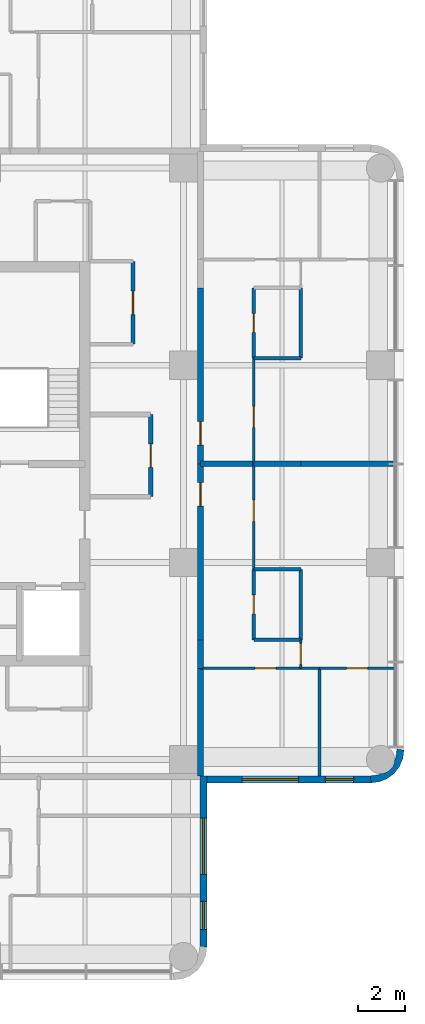
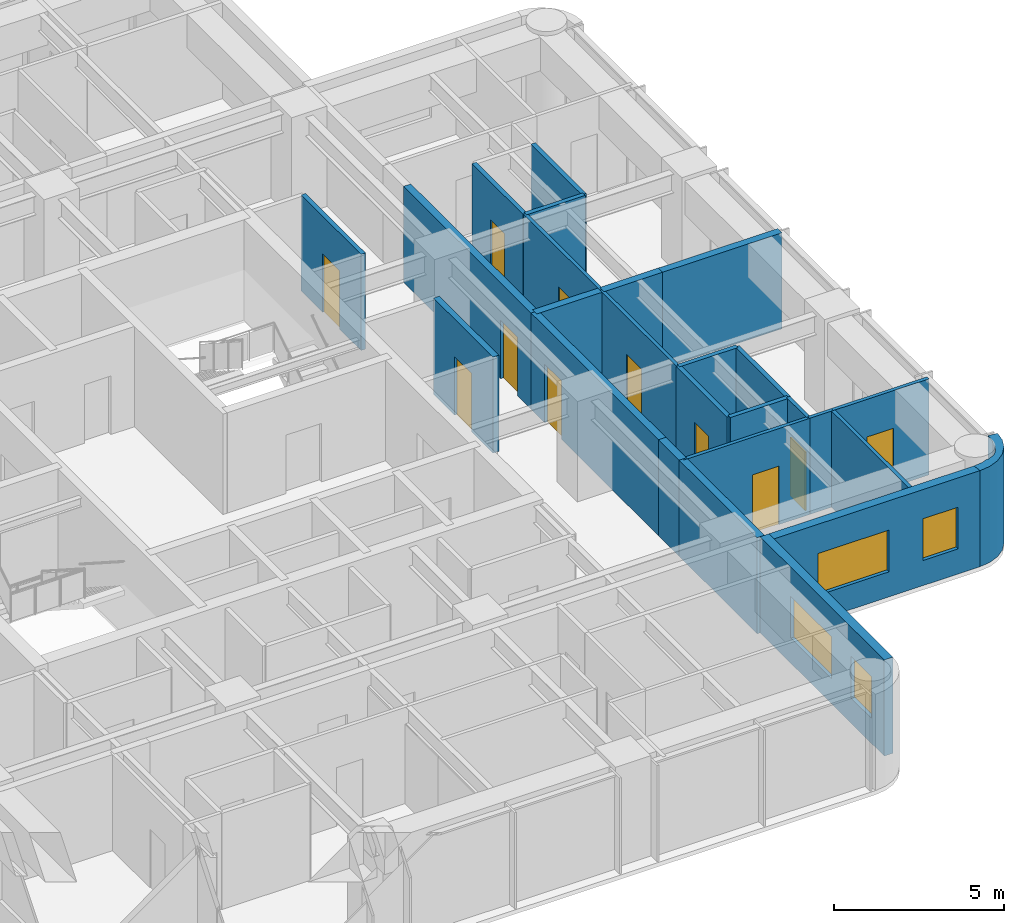
# One storey, part 7 of 10: 26 walls, 11 doors, 4 windows, 15 openings.
"""IFC4 building model written with IfcOpenShell, lengths in metres."""

from ifc_helpers import new_model, si_unit, direction, frame, frame_2d, origin, place, context, subcontext, project, spatial, polyline, rectangle, outline, extrude, material, layer, layer_set, type_object, element, fill, save


model = new_model("IFC4")

# Units and contexts
model_context = context("Model", 3, precision=1e-05, world=origin(), true_north=direction((0.0, 1.0)))
body_context = subcontext(model_context, "Body", "Model", "MODEL_VIEW")
ifc_project = project(units=[si_unit("LENGTHUNIT", "METRE"), si_unit("AREAUNIT", "SQUARE_METRE"), si_unit("VOLUMEUNIT", "CUBIC_METRE"), si_unit("PLANEANGLEUNIT", "RADIAN"), si_unit("MASSUNIT", "GRAM", prefix="KILO")], contexts=[model_context])

# Site, building, storey
site_placement = place(None, origin())
site = spatial("IfcSite", under=ifc_project, at=site_placement, CompositionType="ELEMENT")
building_placement = place(site_placement, origin())
building = spatial("IfcBuilding", under=site, at=building_placement, Name="Torre Alcanfor", CompositionType="ELEMENT")
storey_placement = place(building_placement, frame((0.0, 0.0, 290.10009765625)))
storey = spatial("IfcBuildingStorey", under=building, at=storey_placement, Name="L76", CompositionType="ELEMENT", Elevation=290.10009765625)

# Wall, opening, door
ifc_material_1 = material(Name="Concrete block masonry, hollow blocks NMX-C-404 9 MPa", Category="masonry")
ifc_layer_1 = layer(ifc_material_1, 0.25)
ifc_layer_set_1 = layer_set([ifc_layer_1], Name="Apartment entrance wall 250 EI 60")
wall_type_1 = type_object("IfcWallType", Name="Apartment entrance wall 250 EI 60", PredefinedType="PARTITIONING", material=ifc_layer_set_1)
wall_1_placement = place(storey_placement, frame((42.72509765625, 36.89990234375, 0.0), z_axis=(0.0, 0.0, 1.0), x_axis=(0.0, -1.0, 0.0)))
wall_1 = element("IfcWall", 1, at=wall_1_placement, inside=storey, type_object=wall_type_1, Name="Partition L76-CORR / L76-E1-ZAG", PredefinedType="PARTITIONING", context=body_context, shape_type="SweptSolid", body=[
    extrude(rectangle(XDim=7.5, YDim=0.25, at=frame_2d((3.75, 0.0))), origin(), (0.0, 0.0, 1.0), 3.449951171875),
])
opening_1_placement = place(wall_1_placement, frame((5.699951171875, 0.0, 0.0)))
opening_1 = element("IfcOpeningElement", 2, at=opening_1_placement, cuts=wall_1, Name="Opening D-A1", PredefinedType="OPENING", context=body_context, shape_type="SweptSolid", body=[
    extrude(rectangle(XDim=1.0, YDim=2.10009765625, at=frame_2d((0.5, 1.050048828125))), frame((0.0, 0.135009765625, 0.0), z_axis=(0.0, -1.0, 0.0), x_axis=(1.0, 0.0, 0.0)), (0.0, 0.0, 1.0), 0.27001953125),
])
ifc_material_2 = material(Name="Galvanised steel sheet ASTM A653", Category="steel")
door_type_1 = type_object("IfcDoorType", Name="Apartment entrance door FD60 1000x2100", OperationType="SINGLE_SWING_LEFT", PredefinedType="DOOR", material=ifc_material_2)
door_1_placement = place(opening_1_placement, origin())
door_1 = element("IfcDoor", 3, at=door_1_placement, inside=storey, type_object=door_type_1, Name="Apartment entrance L76-E1", OperationType="SINGLE_SWING_RIGHT", OverallHeight=2.10009765625, OverallWidth=1.0, PredefinedType="DOOR", context=body_context, shape_type="SweptSolid", body=[
    extrude(rectangle(XDim=1.0, YDim=2.10009765625, at=frame_2d((0.5, 1.050048828125))), frame((0.0, 0.02490234375, 0.0), z_axis=(0.0, -1.0, 0.0), x_axis=(1.0, 0.0, 0.0)), (0.0, 0.0, 1.0), 0.050048828125),
])
fill(opening_1, door_1)

wall_2_placement = place(storey_placement, frame((42.72509765625, 29.39990234375, 0.0), z_axis=(0.0, 0.0, 1.0), x_axis=(0.0, -1.0, 0.0)))
wall_2 = element("IfcWall", 4, at=wall_2_placement, inside=storey, type_object=wall_type_1, Name="Partition L76-CORR / L76-E2-ZAG", PredefinedType="PARTITIONING", context=body_context, shape_type="SweptSolid", body=[
    extrude(rectangle(XDim=7.5, YDim=0.25, at=frame_2d((3.75, 0.0))), origin(), (0.0, 0.0, 1.0), 3.449951171875),
])
opening_2_placement = place(wall_2_placement, frame((0.800048828125, 0.0, 0.0)))
opening_2 = element("IfcOpeningElement", 5, at=opening_2_placement, cuts=wall_2, Name="Opening D-A1", PredefinedType="OPENING", context=body_context, shape_type="SweptSolid", body=[
    extrude(rectangle(XDim=1.0, YDim=2.10009765625, at=frame_2d((0.5, 1.050048828125))), frame((0.0, 0.135009765625, 0.0), z_axis=(0.0, -1.0, 0.0), x_axis=(1.0, 0.0, 0.0)), (0.0, 0.0, 1.0), 0.27001953125),
])
door_2_placement = place(opening_2_placement, origin())
door_2 = element("IfcDoor", 6, at=door_2_placement, inside=storey, type_object=door_type_1, Name="Apartment entrance L76-E2", OperationType="SINGLE_SWING_LEFT", OverallHeight=2.10009765625, OverallWidth=1.0, PredefinedType="DOOR", context=body_context, shape_type="SweptSolid", body=[
    extrude(rectangle(XDim=1.0, YDim=2.10009765625, at=frame_2d((0.5, 1.050048828125))), frame((0.0, 0.02490234375, 0.0), z_axis=(0.0, -1.0, 0.0), x_axis=(1.0, 0.0, 0.0)), (0.0, 0.0, 1.0), 0.050048828125),
])
fill(opening_2, door_2)

# Walls
wall_3_placement = place(storey_placement, frame((42.72509765625, 21.89990234375, 0.0), z_axis=(0.0, 0.0, 1.0), x_axis=(0.0, -1.0, 0.0)))
element("IfcWall", 7, at=wall_3_placement, inside=storey, type_object=wall_type_1, Name="Partition L76-CORR / L76-E2-HALL", PredefinedType="PARTITIONING", context=body_context, shape_type="SweptSolid", body=[
    extrude(rectangle(XDim=1.2138671875, YDim=0.25, at=frame_2d((0.60693359375, 0.0))), origin(), (0.0, 0.0, 1.0), 3.449951171875),
])
wall_4_placement = place(storey_placement, frame((42.72509765625, 20.68603515625, 0.0), z_axis=(0.0, 0.0, 1.0), x_axis=(0.0, -1.0, 0.0)))
element("IfcWall", 8, at=wall_4_placement, inside=storey, type_object=wall_type_1, Name="Partition L76-CORR / L76-E2-MASTER", PredefinedType="PARTITIONING", context=body_context, shape_type="SweptSolid", body=[
    extrude(rectangle(XDim=4.5859375, YDim=0.25, at=frame_2d((2.29296875, 0.0))), origin(), (0.0, 0.0, 1.0), 3.449951171875),
])

# Wall, opening, door
ifc_material_3 = material(Name="Gypsum board on steel studs", Category="steel")
ifc_layer_2 = layer(ifc_material_3, 0.1201171875)
ifc_layer_set_2 = layer_set([ifc_layer_2], Name="Apartment partition 120")
wall_type_2 = type_object("IfcWallType", Name="Apartment partition 120", PredefinedType="PARTITIONING", material=ifc_layer_set_2)
wall_5_placement = place(storey_placement, frame((45.0, 29.39990234375, 0.0), z_axis=(0.0, 0.0, 1.0), x_axis=(0.0, 1.0, 0.0)))
wall_5 = element("IfcWall", 9, at=wall_5_placement, inside=storey, type_object=wall_type_2, Name="Partition L76-E1-ZAG / L76-E1-KITCHEN", PredefinedType="PARTITIONING", context=body_context, shape_type="SweptSolid", body=[
    extrude(rectangle(XDim=4.5, YDim=0.1201171875, at=frame_2d((2.25, 0.0))), origin(), (0.0, 0.0, 1.0), 3.449951171875),
])
opening_3_placement = place(wall_5_placement, frame((1.550048828125, 0.0, 0.0)))
opening_3 = element("IfcOpeningElement", 10, at=opening_3_placement, cuts=wall_5, Name="Opening D-R1", PredefinedType="OPENING", context=body_context, shape_type="SweptSolid", body=[
    extrude(rectangle(XDim=0.89990234375, YDim=2.10009765625, at=frame_2d((0.449951171875, 1.050048828125))), frame((0.0, 0.070068359375, 0.0), z_axis=(0.0, -1.0, 0.0), x_axis=(1.0, 0.0, 0.0)), (0.0, 0.0, 1.0), 0.14013671875),
])
ifc_material_4 = material(Name="Timber", Category="wood")
door_type_2 = type_object("IfcDoorType", Name="Internal door 900x2100", OperationType="SINGLE_SWING_LEFT", PredefinedType="DOOR", material=ifc_material_4)
door_3_placement = place(opening_3_placement, frame((0.89990234375, 0.0, 0.0), z_axis=(0.0, 0.0, 1.0), x_axis=(-1.0, 0.0, 0.0)))
door_3 = element("IfcDoor", 11, at=door_3_placement, inside=storey, type_object=door_type_2, Name="Door L76-E1 kitchen", OperationType="SINGLE_SWING_RIGHT", OverallHeight=2.10009765625, OverallWidth=0.89990234375, PredefinedType="DOOR", context=body_context, shape_type="SweptSolid", body=[
    extrude(rectangle(XDim=0.89990234375, YDim=2.10009765625, at=frame_2d((0.449951171875, 1.050048828125))), frame((0.0, 0.025146484375, 0.0), z_axis=(0.0, -1.0, 0.0), x_axis=(1.0, 0.0, 0.0)), (0.0, 0.0, 1.0), 0.050048828125),
])
fill(opening_3, door_3)

wall_6_placement = place(storey_placement, frame((45.0, 29.39990234375, 0.0), z_axis=(0.0, 0.0, 1.0), x_axis=(0.0, -1.0, 0.0)))
wall_6 = element("IfcWall", 12, at=wall_6_placement, inside=storey, type_object=wall_type_2, Name="Partition L76-E2-ZAG / L76-E2-KITCHEN", PredefinedType="PARTITIONING", context=body_context, shape_type="SweptSolid", body=[
    extrude(rectangle(XDim=4.5, YDim=0.1201171875, at=frame_2d((2.25, 0.0))), origin(), (0.0, 0.0, 1.0), 3.449951171875),
])
opening_4_placement = place(wall_6_placement, frame((1.550048828125, 0.0, 0.0)))
opening_4 = element("IfcOpeningElement", 13, at=opening_4_placement, cuts=wall_6, Name="Opening D-R1", PredefinedType="OPENING", context=body_context, shape_type="SweptSolid", body=[
    extrude(rectangle(XDim=0.89990234375, YDim=2.10009765625, at=frame_2d((0.449951171875, 1.050048828125))), frame((0.0, 0.070068359375, 0.0), z_axis=(0.0, -1.0, 0.0), x_axis=(1.0, 0.0, 0.0)), (0.0, 0.0, 1.0), 0.14013671875),
])
door_4_placement = place(opening_4_placement, origin())
door_4 = element("IfcDoor", 14, at=door_4_placement, inside=storey, type_object=door_type_2, Name="Door L76-E2 kitchen", OperationType="SINGLE_SWING_LEFT", OverallHeight=2.10009765625, OverallWidth=0.89990234375, PredefinedType="DOOR", context=body_context, shape_type="SweptSolid", body=[
    extrude(rectangle(XDim=0.89990234375, YDim=2.10009765625, at=frame_2d((0.449951171875, 1.050048828125))), frame((0.0, 0.02490234375, 0.0), z_axis=(0.0, -1.0, 0.0), x_axis=(1.0, 0.0, 0.0)), (0.0, 0.0, 1.0), 0.050048828125),
])
fill(opening_4, door_4)

wall_7_placement = place(storey_placement, frame((47.0, 21.89990234375, 0.0), z_axis=(0.0, 0.0, 1.0), x_axis=(0.0, -1.0, 0.0)))
wall_7 = element("IfcWall", 15, at=wall_7_placement, inside=storey, type_object=wall_type_2, Name="Partition L76-E2-HALL / L76-E2-LIVING", PredefinedType="PARTITIONING", context=body_context, shape_type="SweptSolid", body=[
    extrude(rectangle(XDim=1.2138671875, YDim=0.1201171875, at=frame_2d((0.60693359375, 0.0))), origin(), (0.0, 0.0, 1.0), 3.449951171875),
])
opening_5_placement = place(wall_7_placement, frame((0.14990234375, 0.0, 0.0)))
opening_5 = element("IfcOpeningElement", 16, at=opening_5_placement, cuts=wall_7, Name="Opening D-R1", PredefinedType="OPENING", context=body_context, shape_type="SweptSolid", body=[
    extrude(rectangle(XDim=0.89990234375, YDim=2.10009765625, at=frame_2d((0.449951171875, 1.050048828125))), frame((0.0, 0.070068359375, 0.0), z_axis=(0.0, -1.0, 0.0), x_axis=(1.0, 0.0, 0.0)), (0.0, 0.0, 1.0), 0.14013671875),
])
door_5_placement = place(opening_5_placement, origin())
door_5 = element("IfcDoor", 17, at=door_5_placement, inside=storey, type_object=door_type_2, Name="Door L76-E2 living", OperationType="SINGLE_SWING_RIGHT", OverallHeight=2.10009765625, OverallWidth=0.89990234375, PredefinedType="DOOR", context=body_context, shape_type="SweptSolid", body=[
    extrude(rectangle(XDim=0.89990234375, YDim=2.10009765625, at=frame_2d((0.449951171875, 1.050048828125))), frame((0.0, 0.02490234375, 0.0), z_axis=(0.0, -1.0, 0.0), x_axis=(1.0, 0.0, 0.0)), (0.0, 0.0, 1.0), 0.050048828125),
])
fill(opening_5, door_5)

wall_8_placement = place(storey_placement, frame((47.0, 20.68603515625, 0.0), z_axis=(0.0, 0.0, 1.0), x_axis=(-1.0, 0.0, 0.0)))
wall_8 = element("IfcWall", 18, at=wall_8_placement, inside=storey, type_object=wall_type_2, Name="Partition L76-E2-HALL / L76-E2-MASTER", PredefinedType="PARTITIONING", context=body_context, shape_type="SweptSolid", body=[
    extrude(rectangle(XDim=4.27490234375, YDim=0.1201171875, at=frame_2d((2.137451171875, 0.0))), origin(), (0.0, 0.0, 1.0), 3.449951171875),
])
opening_6_placement = place(wall_8_placement, frame((1.050048828125, 0.0, 0.0)))
opening_6 = element("IfcOpeningElement", 19, at=opening_6_placement, cuts=wall_8, Name="Opening D-R1", PredefinedType="OPENING", context=body_context, shape_type="SweptSolid", body=[
    extrude(rectangle(XDim=0.89990234375, YDim=2.10009765625, at=frame_2d((0.449951171875, 1.050048828125))), frame((0.0, 0.070068359375, 0.0), z_axis=(0.0, -1.0, 0.0), x_axis=(1.0, 0.0, 0.0)), (0.0, 0.0, 1.0), 0.14013671875),
])
door_6_placement = place(opening_6_placement, origin())
door_6 = element("IfcDoor", 20, at=door_6_placement, inside=storey, type_object=door_type_2, Name="Door L76-E2 master", OperationType="SINGLE_SWING_LEFT", OverallHeight=2.10009765625, OverallWidth=0.89990234375, PredefinedType="DOOR", context=body_context, shape_type="SweptSolid", body=[
    extrude(rectangle(XDim=0.89990234375, YDim=2.10009765625, at=frame_2d((0.449951171875, 1.050048828125))), frame((0.0, 0.02490234375, 0.0), z_axis=(0.0, -1.0, 0.0), x_axis=(1.0, 0.0, 0.0)), (0.0, 0.0, 1.0), 0.050048828125),
])
fill(opening_6, door_6)

# Wall
wall_9_placement = place(storey_placement, frame((47.800048828125, 20.68603515625, 0.0), z_axis=(0.0, 0.0, 1.0), x_axis=(-1.0, 0.0, 0.0)))
element("IfcWall", 21, at=wall_9_placement, inside=storey, type_object=wall_type_2, Name="Partition L76-E2-LIVING / L76-E2-MASTER", PredefinedType="PARTITIONING", context=body_context, shape_type="SweptSolid", body=[
    extrude(rectangle(XDim=0.800048828125, YDim=0.1201171875, at=frame_2d((0.39990234375, 0.0))), origin(), (0.0, 0.0, 1.0), 3.449951171875),
])

# Wall, opening, door
wall_10_placement = place(storey_placement, frame((51.050048828125, 20.68603515625, 0.0), z_axis=(0.0, 0.0, 1.0), x_axis=(-1.0, 0.0, 0.0)))
wall_10 = element("IfcWall", 22, at=wall_10_placement, inside=storey, type_object=wall_type_2, Name="Partition L76-E2-LIVING / L76-E2-BED2", PredefinedType="PARTITIONING", context=body_context, shape_type="SweptSolid", body=[
    extrude(rectangle(XDim=3.25, YDim=0.1201171875, at=frame_2d((1.625, 0.0))), origin(), (0.0, 0.0, 1.0), 3.449951171875),
])
opening_7_placement = place(wall_10_placement, frame((1.199951171875, 0.0, 0.0)))
opening_7 = element("IfcOpeningElement", 23, at=opening_7_placement, cuts=wall_10, Name="Opening D-R1", PredefinedType="OPENING", context=body_context, shape_type="SweptSolid", body=[
    extrude(rectangle(XDim=0.89990234375, YDim=2.10009765625, at=frame_2d((0.449951171875, 1.050048828125))), frame((0.0, 0.070068359375, 0.0), z_axis=(0.0, -1.0, 0.0), x_axis=(1.0, 0.0, 0.0)), (0.0, 0.0, 1.0), 0.14013671875),
])
door_7_placement = place(opening_7_placement, origin())
door_7 = element("IfcDoor", 24, at=door_7_placement, inside=storey, type_object=door_type_2, Name="Door L76-E2 bed2", OperationType="SINGLE_SWING_RIGHT", OverallHeight=2.10009765625, OverallWidth=0.89990234375, PredefinedType="DOOR", context=body_context, shape_type="SweptSolid", body=[
    extrude(rectangle(XDim=0.89990234375, YDim=2.10009765625, at=frame_2d((0.449951171875, 1.050048828125))), frame((0.0, 0.02490234375, 0.0), z_axis=(0.0, -1.0, 0.0), x_axis=(1.0, 0.0, 0.0)), (0.0, 0.0, 1.0), 0.050048828125),
])
fill(opening_7, door_7)

# Wall
wall_11_placement = place(storey_placement, frame((47.800048828125, 20.68603515625, 0.0), z_axis=(0.0, 0.0, 1.0), x_axis=(0.0, -1.0, 0.0)))
element("IfcWall", 25, at=wall_11_placement, inside=storey, type_object=wall_type_2, Name="Partition L76-E2-MASTER / L76-E2-BED2", PredefinedType="PARTITIONING", context=body_context, shape_type="SweptSolid", body=[
    extrude(rectangle(XDim=4.5859375, YDim=0.1201171875, at=frame_2d((2.29296875, 0.0))), origin(), (0.0, 0.0, 1.0), 3.449951171875),
])

# Wall, openings, windows
ifc_material_5 = material(Name="Limestone cladding", Category="masonry")
ifc_layer_3 = layer(ifc_material_5, 0.0400390625, Name="Facing")
ifc_material_6 = material(Name="Ventilated air cavity")
ifc_layer_4 = layer(ifc_material_6, 0.02001953125, ventilated=True, Name="Ventilated joint")
ifc_material_7 = material(Name="Mineral wool insulation", Category="insulation")
ifc_layer_5 = layer(ifc_material_7, 0.10009765625, Name="Insulation")
ifc_material_8 = material(Name="Concrete f'c 35 MPa", Category="concrete")
ifc_layer_6 = layer(ifc_material_8, 0.139892578125, Name="Backing")
ifc_layer_set_3 = layer_set([ifc_layer_3, ifc_layer_4, ifc_layer_5, ifc_layer_6], Name="External wall stone-clad 300")
wall_type_3 = type_object("IfcWallType", Name="External wall stone-clad 300", PredefinedType="SOLIDWALL", material=ifc_layer_set_3)
wall_12_placement = place(storey_placement, frame((42.85009765625, 8.800048828125, 0.0), z_axis=(0.0, 0.0, 1.0), x_axis=(0.0, 1.0, 0.0)))
wall_12 = element("IfcWall", 26, at=wall_12_placement, inside=storey, type_object=wall_type_3, Name="External wall L76 6", PredefinedType="SOLIDWALL", context=body_context, shape_type="SweptSolid", body=[
    extrude(rectangle(XDim=7.300048828125, YDim=0.300048828125, at=frame_2d((3.64990234375, 0.0))), origin(), (0.0, 0.0, 1.0), 3.449951171875),
])
opening_8_placement = place(wall_12_placement, frame((3.10009765625, 0.0, 0.89990234375)))
opening_8 = element("IfcOpeningElement", 27, at=opening_8_placement, cuts=wall_12, Name="Opening W1", PredefinedType="OPENING", context=body_context, shape_type="SweptSolid", body=[
    extrude(rectangle(XDim=2.39990234375, YDim=1.5, at=frame_2d((1.199951171875, 0.75))), frame((0.0, 0.159912109375, 0.0), z_axis=(0.0, -1.0, 0.0), x_axis=(1.0, 0.0, 0.0)), (0.0, 0.0, 1.0), 0.320068359375),
])
opening_9_placement = place(wall_12_placement, frame((0.75, 0.0, 0.89990234375)))
opening_9 = element("IfcOpeningElement", 28, at=opening_9_placement, cuts=wall_12, Name="Opening W4", PredefinedType="OPENING", context=body_context, shape_type="SweptSolid", body=[
    extrude(rectangle(XDim=1.199951171875, YDim=1.5, at=frame_2d((0.60009765625, 0.75))), frame((0.0, 0.159912109375, 0.0), z_axis=(0.0, -1.0, 0.0), x_axis=(1.0, 0.0, 0.0)), (0.0, 0.0, 1.0), 0.320068359375),
])
ifc_material_9 = material(Name="Aluminium frame with clear double glazing", Category="aluminium")
window_type_1 = type_object("IfcWindowType", Name="Window bedroom 1200x1500", PartitioningType="SINGLE_PANEL", PredefinedType="WINDOW", material=ifc_material_9)
window_1_placement = place(opening_9_placement, origin())
window_1 = element("IfcWindow", 29, at=window_1_placement, inside=storey, type_object=window_type_1, Name="Window W4 L76-S1", OverallHeight=1.5, OverallWidth=1.199951171875, PartitioningType="SINGLE_PANEL", PredefinedType="WINDOW", context=body_context, shape_type="SweptSolid", body=[
    extrude(rectangle(XDim=1.199951171875, YDim=1.5, at=frame_2d((0.60009765625, 0.75))), frame((0.0, 0.030029296875, 0.0), z_axis=(0.0, -1.0, 0.0), x_axis=(1.0, 0.0, 0.0)), (0.0, 0.0, 1.0), 0.06005859375),
])
fill(opening_9, window_1)
ifc_material_10 = material(Name="Aluminium frame with clear double glazing", Category="aluminium")
window_type_2 = type_object("IfcWindowType", Name="Window bedroom 2400x1500", PartitioningType="SINGLE_PANEL", PredefinedType="WINDOW", material=ifc_material_10)
window_2_placement = place(opening_8_placement, origin())
window_2 = element("IfcWindow", 30, at=window_2_placement, inside=storey, type_object=window_type_2, Name="Window W1 L76-S1", OverallHeight=1.5, OverallWidth=2.39990234375, PartitioningType="SINGLE_PANEL", PredefinedType="WINDOW", context=body_context, shape_type="SweptSolid", body=[
    extrude(rectangle(XDim=2.39990234375, YDim=1.5, at=frame_2d((1.199951171875, 0.75))), frame((0.0, 0.030029296875, 0.0), z_axis=(0.0, -1.0, 0.0), x_axis=(1.0, 0.0, 0.0)), (0.0, 0.0, 1.0), 0.06005859375),
])
fill(opening_8, window_2)

wall_13_placement = place(storey_placement, frame((43.0, 15.949951171875, 0.0), z_axis=(0.0, 0.0, 1.0), x_axis=(1.0, 0.0, 0.0)))
wall_13 = element("IfcWall", 31, at=wall_13_placement, inside=storey, type_object=wall_type_3, Name="External wall L76 7", PredefinedType="SOLIDWALL", context=body_context, shape_type="SweptSolid", body=[
    extrude(rectangle(XDim=7.0, YDim=0.300048828125, at=frame_2d((3.5, 0.0))), origin(), (0.0, 0.0, 1.0), 3.449951171875),
])
opening_10_placement = place(wall_13_placement, frame((1.5, 0.0, 0.89990234375)))
opening_10 = element("IfcOpeningElement", 32, at=opening_10_placement, cuts=wall_13, Name="Opening W1", PredefinedType="OPENING", context=body_context, shape_type="SweptSolid", body=[
    extrude(rectangle(XDim=2.39990234375, YDim=1.5, at=frame_2d((1.199951171875, 0.75))), frame((0.0, 0.159912109375, 0.0), z_axis=(0.0, -1.0, 0.0), x_axis=(1.0, 0.0, 0.0)), (0.0, 0.0, 1.0), 0.320068359375),
])
opening_11_placement = place(wall_13_placement, frame((5.050048828125, 0.0, 0.89990234375)))
opening_11 = element("IfcOpeningElement", 33, at=opening_11_placement, cuts=wall_13, Name="Opening W4", PredefinedType="OPENING", context=body_context, shape_type="SweptSolid", body=[
    extrude(rectangle(XDim=1.199951171875, YDim=1.5, at=frame_2d((0.60009765625, 0.75))), frame((0.0, 0.159912109375, 0.0), z_axis=(0.0, -1.0, 0.0), x_axis=(1.0, 0.0, 0.0)), (0.0, 0.0, 1.0), 0.320068359375),
])
window_3_placement = place(opening_11_placement, origin())
window_3 = element("IfcWindow", 34, at=window_3_placement, inside=storey, type_object=window_type_1, Name="Window W4 L76-E2", OverallHeight=1.5, OverallWidth=1.199951171875, PartitioningType="SINGLE_PANEL", PredefinedType="WINDOW", context=body_context, shape_type="SweptSolid", body=[
    extrude(rectangle(XDim=1.199951171875, YDim=1.5, at=frame_2d((0.60009765625, 0.75))), frame((0.0, 0.030029296875, 0.0), z_axis=(0.0, -1.0, 0.0), x_axis=(1.0, 0.0, 0.0)), (0.0, 0.0, 1.0), 0.06005859375),
])
fill(opening_11, window_3)
window_4_placement = place(opening_10_placement, origin())
window_4 = element("IfcWindow", 35, at=window_4_placement, inside=storey, type_object=window_type_2, Name="Window W1 L76-E2", OverallHeight=1.5, OverallWidth=2.39990234375, PartitioningType="SINGLE_PANEL", PredefinedType="WINDOW", context=body_context, shape_type="SweptSolid", body=[
    extrude(rectangle(XDim=2.39990234375, YDim=1.5, at=frame_2d((1.199951171875, 0.75))), frame((0.0, 0.030029296875, 0.0), z_axis=(0.0, -1.0, 0.0), x_axis=(1.0, 0.0, 0.0)), (0.0, 0.0, 1.0), 0.06005859375),
])
fill(opening_10, window_4)

# Walls
ifc_material_11 = material(Name="Concrete block masonry, hollow blocks NMX-C-404 9 MPa", Category="masonry")
ifc_layer_7 = layer(ifc_material_11, 0.25)
ifc_layer_set_4 = layer_set([ifc_layer_7], Name="Party wall 250 EI 60")
wall_type_4 = type_object("IfcWallType", Name="Party wall 250 EI 60", PredefinedType="PARTITIONING", material=ifc_layer_set_4)
wall_14_placement = place(storey_placement, frame((42.72509765625, 29.39990234375, 0.0), z_axis=(0.0, 0.0, 1.0), x_axis=(1.0, 0.0, 0.0)))
element("IfcWall", 36, at=wall_14_placement, inside=storey, type_object=wall_type_4, Name="Partition L76-E1-ZAG / L76-E2-ZAG", PredefinedType="PARTITIONING", context=body_context, shape_type="SweptSolid", body=[
    extrude(rectangle(XDim=2.27490234375, YDim=0.25, at=frame_2d((1.137451171875, 0.0))), origin(), (0.0, 0.0, 1.0), 3.449951171875),
])
wall_15_placement = place(storey_placement, frame((45.0, 29.39990234375, 0.0), z_axis=(0.0, 0.0, 1.0), x_axis=(1.0, 0.0, 0.0)))
element("IfcWall", 37, at=wall_15_placement, inside=storey, type_object=wall_type_4, Name="Partition L76-E1-KITCHEN / L76-E2-KITCHEN", PredefinedType="PARTITIONING", context=body_context, shape_type="SweptSolid", body=[
    extrude(rectangle(XDim=2.0, YDim=0.25, at=frame_2d((1.0, 0.0))), origin(), (0.0, 0.0, 1.0), 3.449951171875),
])
wall_16_placement = place(storey_placement, frame((47.0, 29.39990234375, 0.0), z_axis=(0.0, 0.0, 1.0), x_axis=(1.0, 0.0, 0.0)))
element("IfcWall", 38, at=wall_16_placement, inside=storey, type_object=wall_type_4, Name="Partition L76-E1-LIVING / L76-E2-LIVING", PredefinedType="PARTITIONING", context=body_context, shape_type="SweptSolid", body=[
    extrude(rectangle(XDim=4.050048828125, YDim=0.25, at=frame_2d((2.02490234375, 0.0))), origin(), (0.0, 0.0, 1.0), 3.449951171875),
])

# Wall, opening, door
ifc_material_12 = material(Name="Concrete block masonry, hollow blocks NMX-C-404 9 MPa", Category="masonry")
ifc_layer_8 = layer(ifc_material_12, 0.199951171875)
ifc_layer_set_5 = layer_set([ifc_layer_8], Name="Plant room wall 200 EI 60")
wall_type_5 = type_object("IfcWallType", Name="Plant room wall 200 EI 60", PredefinedType="PARTITIONING", material=ifc_layer_set_5)
wall_17_placement = place(storey_placement, frame((40.60009765625, 28.0, 0.0), z_axis=(0.0, 0.0, 1.0), x_axis=(0.0, 1.0, 0.0)))
wall_17 = element("IfcWall", 39, at=wall_17_placement, inside=storey, type_object=wall_type_5, Name="Partition L76-CORR / L76-G03", PredefinedType="PARTITIONING", context=body_context, shape_type="SweptSolid", body=[
    extrude(rectangle(XDim=3.5, YDim=0.199951171875, at=frame_2d((1.75, 0.0))), origin(), (0.0, 0.0, 1.0), 3.449951171875),
])
opening_12_placement = place(wall_17_placement, frame((1.25, 0.0, 0.0)))
opening_12 = element("IfcOpeningElement", 40, at=opening_12_placement, cuts=wall_17, Name="Opening D-K1", PredefinedType="OPENING", context=body_context, shape_type="SweptSolid", body=[
    extrude(rectangle(XDim=1.0, YDim=2.10009765625, at=frame_2d((0.5, 1.050048828125))), frame((0.0, 0.10986328125, 0.0), z_axis=(0.0, -1.0, 0.0), x_axis=(1.0, 0.0, 0.0)), (0.0, 0.0, 1.0), 0.219970703125),
])
ifc_material_13 = material(Name="Galvanised steel sheet ASTM A653", Category="steel")
door_type_3 = type_object("IfcDoorType", Name="Core room door FD60 1000x2100", OperationType="SINGLE_SWING_LEFT", PredefinedType="DOOR", material=ifc_material_13)
door_8_placement = place(opening_12_placement, origin())
door_8 = element("IfcDoor", 41, at=door_8_placement, inside=storey, type_object=door_type_3, Name="Door L76-G03 refuse and recycling store", OperationType="SINGLE_SWING_LEFT", OverallHeight=2.10009765625, OverallWidth=1.0, PredefinedType="DOOR", context=body_context, shape_type="SweptSolid", body=[
    extrude(rectangle(XDim=1.0, YDim=2.10009765625, at=frame_2d((0.5, 1.050048828125))), frame((0.0, 0.02490234375, 0.0), z_axis=(0.0, -1.0, 0.0), x_axis=(1.0, 0.0, 0.0)), (0.0, 0.0, 1.0), 0.050048828125),
])
fill(opening_12, door_8)

ifc_material_14 = material(Name="Concrete block masonry, hollow blocks NMX-C-404 9 MPa", Category="masonry")
ifc_layer_9 = layer(ifc_material_14, 0.14990234375)
ifc_layer_set_6 = layer_set([ifc_layer_9], Name="Residents' room partition 150")
wall_type_6 = type_object("IfcWallType", Name="Residents' room partition 150", PredefinedType="PARTITIONING", material=ifc_layer_set_6)
wall_18_placement = place(storey_placement, frame((39.85009765625, 34.5, 0.0), z_axis=(0.0, 0.0, 1.0), x_axis=(0.0, 1.0, 0.0)))
wall_18 = element("IfcWall", 42, at=wall_18_placement, inside=storey, type_object=wall_type_6, Name="Partition L76-CORR / L76-G04", PredefinedType="PARTITIONING", context=body_context, shape_type="SweptSolid", body=[
    extrude(rectangle(XDim=3.52490234375, YDim=0.14990234375, at=frame_2d((1.762451171875, 0.0))), origin(), (0.0, 0.0, 1.0), 3.449951171875),
])
opening_13_placement = place(wall_18_placement, frame((1.262451171875, 0.0, 0.0)))
opening_13 = element("IfcOpeningElement", 43, at=opening_13_placement, cuts=wall_18, Name="Opening D-M1", PredefinedType="OPENING", context=body_context, shape_type="SweptSolid", body=[
    extrude(rectangle(XDim=1.0, YDim=2.10009765625, at=frame_2d((0.5, 1.050048828125))), frame((0.0, 0.0849609375, 0.0), z_axis=(0.0, -1.0, 0.0), x_axis=(1.0, 0.0, 0.0)), (0.0, 0.0, 1.0), 0.169921875),
])
ifc_material_15 = material(Name="Timber", Category="wood")
door_type_4 = type_object("IfcDoorType", Name="Residents' room door 1000x2100", OperationType="SINGLE_SWING_LEFT", PredefinedType="DOOR", material=ifc_material_15)
door_9_placement = place(opening_13_placement, origin())
door_9 = element("IfcDoor", 44, at=door_9_placement, inside=storey, type_object=door_type_4, Name="Door L76-G04 parcel room", OperationType="SINGLE_SWING_LEFT", OverallHeight=2.10009765625, OverallWidth=1.0, PredefinedType="DOOR", context=body_context, shape_type="SweptSolid", body=[
    extrude(rectangle(XDim=1.0, YDim=2.10009765625, at=frame_2d((0.5, 1.050048828125))), frame((0.0, 0.02490234375, 0.0), z_axis=(0.0, -1.0, 0.0), x_axis=(1.0, 0.0, 0.0)), (0.0, 0.0, 1.0), 0.050048828125),
])
fill(opening_13, door_9)

# Wall
ifc_layer_10 = layer(ifc_material_5, 0.0400390625, Name="Facing")
ifc_layer_11 = layer(ifc_material_6, 0.02001953125, ventilated=True, Name="Ventilated joint")
ifc_layer_12 = layer(ifc_material_7, 0.10009765625, Name="Insulation")
ifc_layer_13 = layer(ifc_material_8, 0.139892578125, Name="Backing")
ifc_layer_set_7 = layer_set([ifc_layer_10, ifc_layer_11, ifc_layer_12, ifc_layer_13], Name="Rounded corner pier stone-clad 300")
wall_type_7 = type_object("IfcWallType", Name="Rounded corner pier stone-clad 300", PredefinedType="SOLIDWALL", material=ifc_layer_set_7)
wall_19_placement = place(storey_placement, frame((50.038418254, 16.224101883, 0.0), z_axis=(0.0, 0.0, 1.0), x_axis=(0.707106781187, -0.707106781187, 0.0)))
element("IfcWall", 45, at=wall_19_placement, inside=storey, type_object=wall_type_7, Name="Corner pier L76 17", PredefinedType="SOLIDWALL", context=body_context, shape_type="SweptSolid", body=[
    extrude(outline(polyline([(0.046707742385922124, 1.454733667168189), (0.23315191320659384, 1.2116657111353133), (0.29219256729980647, 1.0690704471557995), (0.35796592756154344, 1.0032970868940625), (0.44928904456537255, 0.782498851264767), (0.44946167805687315, 0.5434014655364057), (0.3579659275615435, 0.3224305964156095), (0.2921925672998065, 0.25665723615387254), (0.2331519132065938, 0.11406197217435879), (0.046535108894421466, -0.1288333503670163), (0.032551796082871086, -0.14281666317856667), (0.2726849827602362, -0.3270165986097303), (0.495209553304538, -0.03716496638018607), (0.6350426814200417, 0.30050614299503053), (0.6826895250742134, 0.6630364751463366), (0.6350426814200417, 1.0252215403146416), (0.495209553304538, 1.3628926496898581), (0.27268498276023634, 1.6527442819194023), (0.032724429574371716, 1.4687169799797393), (0.046707742385922124, 1.454733667168189)])), origin(), (0.0, 0.0, 1.0), 3.449951171875),
])

# Wall, opening, door
ifc_material_16 = material(Name="Cement board on steel studs", Category="steel")
ifc_layer_14 = layer(ifc_material_16, 0.14990234375)
ifc_layer_set_8 = layer_set([ifc_layer_14], Name="Wet area partition 150")
wall_type_8 = type_object("IfcWallType", Name="Wet area partition 150", PredefinedType="PARTITIONING", material=ifc_layer_set_8)
wall_20_placement = place(storey_placement, frame((45.0, 33.89990234375, 0.0), z_axis=(0.0, 0.0, 1.0), x_axis=(0.0, 1.0, 0.0)))
wall_20 = element("IfcWall", 46, at=wall_20_placement, inside=storey, type_object=wall_type_8, Name="Partition L76-E1-ZAG / L76-E1-BATH", PredefinedType="PARTITIONING", context=body_context, shape_type="SweptSolid", body=[
    extrude(rectangle(XDim=3.0, YDim=0.14990234375, at=frame_2d((1.5, 0.0))), origin(), (0.0, 0.0, 1.0), 3.449951171875),
])
opening_14_placement = place(wall_20_placement, frame((1.10009765625, 0.0, 0.0)))
opening_14 = element("IfcOpeningElement", 47, at=opening_14_placement, cuts=wall_20, Name="Opening D-R2", PredefinedType="OPENING", context=body_context, shape_type="SweptSolid", body=[
    extrude(rectangle(XDim=0.800048828125, YDim=2.10009765625, at=frame_2d((0.39990234375, 1.050048828125))), frame((0.0, 0.0849609375, 0.0), z_axis=(0.0, -1.0, 0.0), x_axis=(1.0, 0.0, 0.0)), (0.0, 0.0, 1.0), 0.169921875),
])
ifc_material_17 = material(Name="Timber", Category="wood")
door_type_5 = type_object("IfcDoorType", Name="Bathroom door 800x2100", OperationType="SINGLE_SWING_LEFT", PredefinedType="DOOR", material=ifc_material_17)
door_10_placement = place(opening_14_placement, frame((0.800048828125, 0.0, 0.0), z_axis=(0.0, 0.0, 1.0), x_axis=(-1.0, 0.0, 0.0)))
door_10 = element("IfcDoor", 48, at=door_10_placement, inside=storey, type_object=door_type_5, Name="Door L76-E1 bath", OperationType="SINGLE_SWING_RIGHT", OverallHeight=2.10009765625, OverallWidth=0.800048828125, PredefinedType="DOOR", context=body_context, shape_type="SweptSolid", body=[
    extrude(rectangle(XDim=0.800048828125, YDim=2.10009765625, at=frame_2d((0.400146484375, 1.050048828125))), frame((0.0, 0.025146484375, 0.0), z_axis=(0.0, -1.0, 0.0), x_axis=(1.0, 0.0, 0.0)), (0.0, 0.0, 1.0), 0.050048828125),
])
fill(opening_14, door_10)

# Walls
wall_21_placement = place(storey_placement, frame((47.0, 33.89990234375, 0.0), z_axis=(0.0, 0.0, 1.0), x_axis=(-1.0, 0.0, 0.0)))
element("IfcWall", 49, at=wall_21_placement, inside=storey, type_object=wall_type_8, Name="Partition L76-E1-KITCHEN / L76-E1-BATH", PredefinedType="PARTITIONING", context=body_context, shape_type="SweptSolid", body=[
    extrude(rectangle(XDim=2.0, YDim=0.14990234375, at=frame_2d((1.0, 0.0))), origin(), (0.0, 0.0, 1.0), 3.449951171875),
])
wall_22_placement = place(storey_placement, frame((47.0, 33.89990234375, 0.0), z_axis=(0.0, 0.0, 1.0), x_axis=(0.0, 1.0, 0.0)))
element("IfcWall", 50, at=wall_22_placement, inside=storey, type_object=wall_type_8, Name="Partition L76-E1-BATH / L76-E1-LIVING", PredefinedType="PARTITIONING", context=body_context, shape_type="SweptSolid", body=[
    extrude(rectangle(XDim=3.0, YDim=0.14990234375, at=frame_2d((1.5, 0.0))), origin(), (0.0, 0.0, 1.0), 3.449951171875),
])

# Wall, opening, door
wall_23_placement = place(storey_placement, frame((45.0, 24.89990234375, 0.0), z_axis=(0.0, 0.0, 1.0), x_axis=(0.0, -1.0, 0.0)))
wall_23 = element("IfcWall", 51, at=wall_23_placement, inside=storey, type_object=wall_type_8, Name="Partition L76-E2-ZAG / L76-E2-BATH", PredefinedType="PARTITIONING", context=body_context, shape_type="SweptSolid", body=[
    extrude(rectangle(XDim=3.0, YDim=0.14990234375, at=frame_2d((1.5, 0.0))), origin(), (0.0, 0.0, 1.0), 3.449951171875),
])
opening_15_placement = place(wall_23_placement, frame((1.10009765625, 0.0, 0.0)))
opening_15 = element("IfcOpeningElement", 52, at=opening_15_placement, cuts=wall_23, Name="Opening D-R2", PredefinedType="OPENING", context=body_context, shape_type="SweptSolid", body=[
    extrude(rectangle(XDim=0.800048828125, YDim=2.10009765625, at=frame_2d((0.39990234375, 1.050048828125))), frame((0.0, 0.0849609375, 0.0), z_axis=(0.0, -1.0, 0.0), x_axis=(1.0, 0.0, 0.0)), (0.0, 0.0, 1.0), 0.169921875),
])
door_11_placement = place(opening_15_placement, origin())
door_11 = element("IfcDoor", 53, at=door_11_placement, inside=storey, type_object=door_type_5, Name="Door L76-E2 bath", OperationType="SINGLE_SWING_LEFT", OverallHeight=2.10009765625, OverallWidth=0.800048828125, PredefinedType="DOOR", context=body_context, shape_type="SweptSolid", body=[
    extrude(rectangle(XDim=0.800048828125, YDim=2.10009765625, at=frame_2d((0.39990234375, 1.050048828125))), frame((0.0, 0.02490234375, 0.0), z_axis=(0.0, -1.0, 0.0), x_axis=(1.0, 0.0, 0.0)), (0.0, 0.0, 1.0), 0.050048828125),
])
fill(opening_15, door_11)

# Walls
for number, where, z_axis, x_axis, name in (
    (54, (47.0, 24.89990234375, 0.0), (0.0, 0.0, 1.0), (-1.0, 0.0, 0.0), "Partition L76-E2-KITCHEN / L76-E2-BATH"),
    (55, (47.0, 21.89990234375, 0.0), (0.0, 0.0, 1.0), (-1.0, 0.0, 0.0), "Partition L76-E2-BATH / L76-E2-HALL"),
):
    element("IfcWall", number, at=place(storey_placement, frame(where, z_axis=z_axis, x_axis=x_axis)), inside=storey, type_object=wall_type_8, Name=name, PredefinedType="PARTITIONING", context=body_context, shape_type="SweptSolid", body=[
        extrude(rectangle(XDim=2.0, YDim=0.14990234375, at=frame_2d((1.0, 0.0))), origin(), (0.0, 0.0, 1.0), 3.449951171875),
    ])
wall_24_placement = place(storey_placement, frame((47.0, 24.89990234375, 0.0), z_axis=(0.0, 0.0, 1.0), x_axis=(0.0, -1.0, 0.0)))
element("IfcWall", 56, at=wall_24_placement, inside=storey, type_object=wall_type_8, Name="Partition L76-E2-BATH / L76-E2-LIVING", PredefinedType="PARTITIONING", context=body_context, shape_type="SweptSolid", body=[
    extrude(rectangle(XDim=3.0, YDim=0.14990234375, at=frame_2d((1.5, 0.0))), origin(), (0.0, 0.0, 1.0), 3.449951171875),
])

save(model, "model.ifc")
